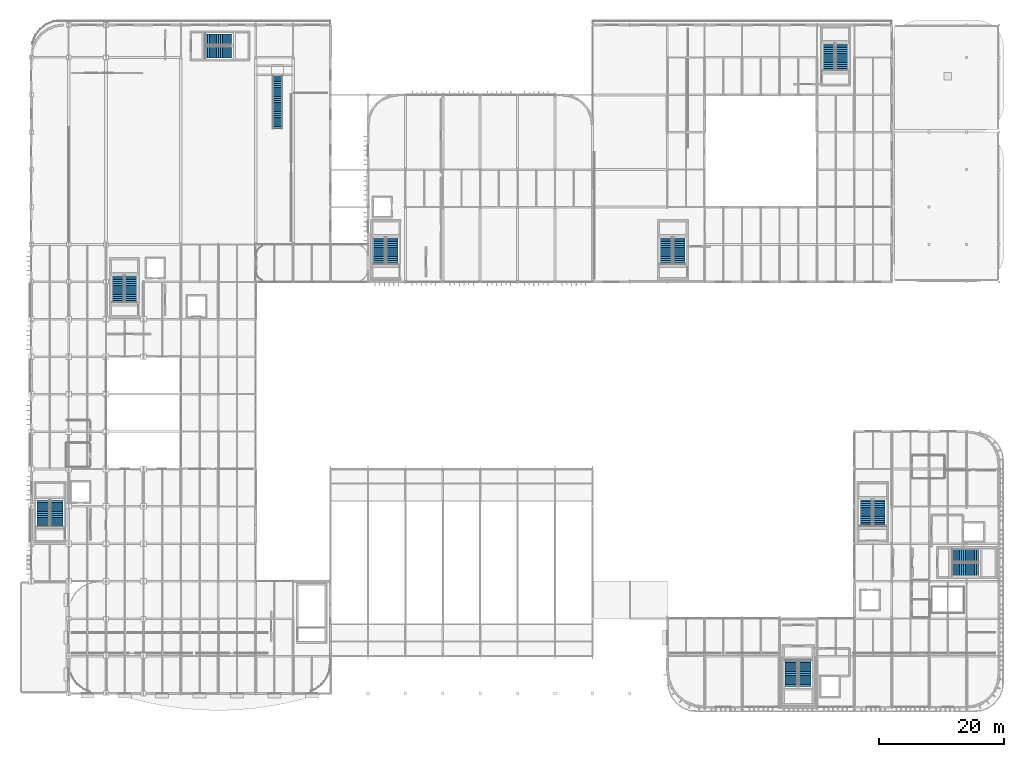
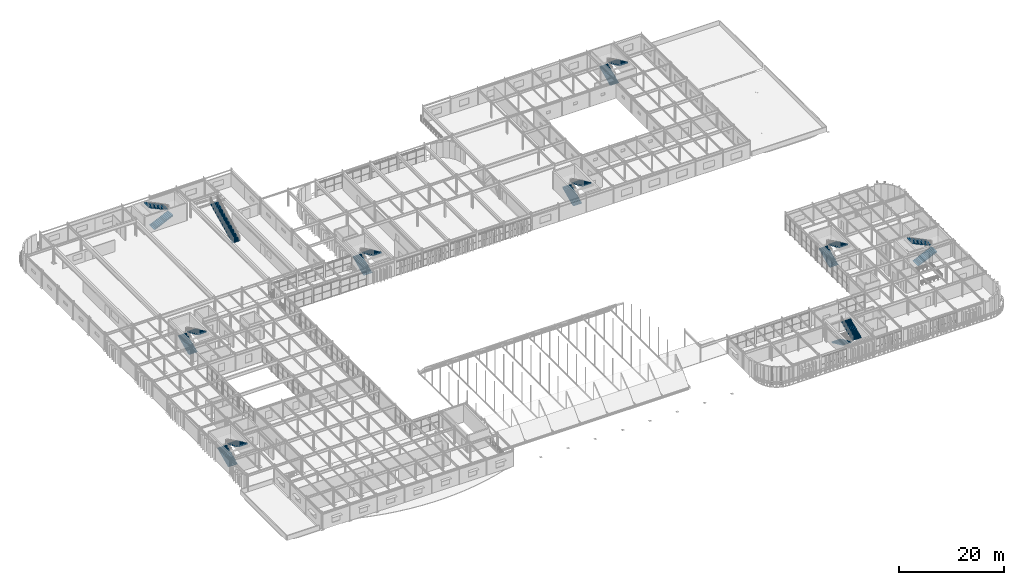
# One storey, part 97 of 116: 19 stair flights, 10 elements without a shape of their own.
"""IFC4 building model written with IfcOpenShell, lengths in metres."""

from ifc_helpers import new_model, si_unit, direction, frame, origin, place, context, subcontext, project, spatial, polyline, outline, extrude, material, type_object, element, aggregate, save


model = new_model("IFC4")

# Units and contexts
model_context = context("Model", 3, precision=1e-05, world=origin(), true_north=direction((0.0, 1.0)))
body_context = subcontext(model_context, "Body", "Model", "MODEL_VIEW")
ifc_project = project(units=[si_unit("LENGTHUNIT", "METRE"), si_unit("AREAUNIT", "SQUARE_METRE"), si_unit("VOLUMEUNIT", "CUBIC_METRE"), si_unit("PLANEANGLEUNIT", "RADIAN"), si_unit("MASSUNIT", "GRAM", prefix="KILO")], contexts=[model_context])

# Site, building, storey
site_placement = place(None, origin())
site = spatial("IfcSite", under=ifc_project, at=site_placement, CompositionType="ELEMENT")
building_placement = place(site_placement, origin())
building = spatial("IfcBuilding", under=site, at=building_placement, Name="Varnakota Square Police Headquarters", CompositionType="ELEMENT")
storey_placement = place(building_placement, frame((0.0, 0.0, 9.300048828125)))
storey = spatial("IfcBuildingStorey", under=building, at=storey_placement, Name="L02", CompositionType="ELEMENT", Elevation=9.300048828125)

# Stair, stair flights
ifc_material_1 = material(Name="Concrete M40", Category="concrete")
stair_type_1 = type_object("IfcStairType", Name="STR-DOG-1850", PredefinedType="USERDEFINED", material=ifc_material_1)
stair_1_placement = place(storey_placement, origin())
stair_1 = element("IfcStair", 1, at=stair_1_placement, inside=storey, type_object=stair_type_1, Name="Protected exit stair ST5 (L02)", ObjectType="TWO_RETURN_STAIR", PredefinedType="USERDEFINED")
stair_flight_type_1 = type_object("IfcStairFlightType", Name="SFL-DOG-1850", PredefinedType="STRAIGHT", material=ifc_material_1)
stair_flight_1_placement = place(storey_placement, frame((19.945068359375, 65.75, 0.0), z_axis=(0.0, 0.0, 1.0), x_axis=(0.0, 1.0, 0.0)))
stair_flight_1 = element("IfcStairFlight", 2, at=stair_flight_1_placement, type_object=stair_flight_type_1, Name="ST5-L02 flight 1", NumberOfRisers=15, NumberOfTreads=14, PredefinedType="STRAIGHT", RiserHeight=0.14, TreadLength=0.3, context=body_context, shape_type="SweptSolid", body=[
    extrude(outline(polyline([(0.0, 0.0), (0.0, 0.139892578125), (0.300048828125, 0.139892578125), (0.300048828125, 0.280029296875), (0.60009765625, 0.280029296875), (0.60009765625, 0.419921875), (0.900146484375, 0.419921875), (0.900146484375, 0.56005859375), (1.2001953125, 0.56005859375), (1.2001953125, 0.699951171875), (1.500244140625, 0.699951171875), (1.500244140625, 0.840087890625), (1.80029296875, 0.840087890625), (1.80029296875, 0.97998046875), (2.100341796875, 0.97998046875), (2.100341796875, 1.1201171875), (2.400390625, 1.1201171875), (2.400390625, 1.260009765625), (2.700439453125, 1.260009765625), (2.700439453125, 1.39990234375), (3.00048828125, 1.39990234375), (3.00048828125, 1.5400390625), (3.300537109375, 1.5400390625), (3.300537109375, 1.679931640625), (3.6005859375, 1.679931640625), (3.6005859375, 1.820068359375), (3.900634765625, 1.820068359375), (3.900634765625, 1.9599609375), (4.20068359375, 1.9599609375), (4.20068359375, 2.10009765625), (4.20068359375, 1.761474609375), (0.425537109375, 0.0), (0.0, 0.0)])), frame((0.0, 0.925048828125, 0.0), z_axis=(0.0, -1.0, 0.0), x_axis=(1.0, 0.0, 0.0)), (0.0, 0.0, 1.0), 1.85009765625),
])
stair_flight_2_placement = place(storey_placement, frame((21.955078125, 69.95068359375, 2.099853515625), z_axis=(0.0, 0.0, 1.0), x_axis=(0.0, -1.0, 0.0)))
stair_flight_2 = element("IfcStairFlight", 3, at=stair_flight_2_placement, type_object=stair_flight_type_1, Name="ST5-L02 flight 2", NumberOfRisers=15, NumberOfTreads=14, PredefinedType="STRAIGHT", RiserHeight=0.14, TreadLength=0.3, context=body_context, shape_type="SweptSolid", body=[
    extrude(outline(polyline([(0.0, 0.0), (0.0, 0.139892578125), (0.300048828125, 0.139892578125), (0.300048828125, 0.280029296875), (0.60009765625, 0.280029296875), (0.60009765625, 0.419921875), (0.900146484375, 0.419921875), (0.900146484375, 0.56005859375), (1.2001953125, 0.56005859375), (1.2001953125, 0.699951171875), (1.500244140625, 0.699951171875), (1.500244140625, 0.840087890625), (1.80029296875, 0.840087890625), (1.80029296875, 0.97998046875), (2.100341796875, 0.97998046875), (2.100341796875, 1.1201171875), (2.400390625, 1.1201171875), (2.400390625, 1.260009765625), (2.700439453125, 1.260009765625), (2.700439453125, 1.39990234375), (3.00048828125, 1.39990234375), (3.00048828125, 1.5400390625), (3.300537109375, 1.5400390625), (3.300537109375, 1.679931640625), (3.6005859375, 1.679931640625), (3.6005859375, 1.820068359375), (3.900634765625, 1.820068359375), (3.900634765625, 1.9599609375), (4.20068359375, 1.9599609375), (4.20068359375, 2.10009765625), (4.20068359375, 1.761474609375), (0.425537109375, 0.0), (0.0, 0.0)])), frame((0.0, 0.925048828125, 0.0), z_axis=(0.0, -1.0, 0.0), x_axis=(1.0, 0.0, 0.0)), (0.0, 0.0, 1.0), 1.85009765625),
])
aggregate(stair_1, [stair_flight_1, stair_flight_2])

stair_2_placement = place(storey_placement, origin())
stair_2 = element("IfcStair", 4, at=stair_2_placement, inside=storey, type_object=stair_type_1, Name="Protected exit stair ST6 (L02)", ObjectType="TWO_RETURN_STAIR", PredefinedType="USERDEFINED")
stair_flight_3_placement = place(storey_placement, frame((61.844970703125, 71.85009765625, 0.0), z_axis=(0.0, 0.0, 1.0), x_axis=(0.0, 1.0, 0.0)))
stair_flight_3 = element("IfcStairFlight", 5, at=stair_flight_3_placement, type_object=stair_flight_type_1, Name="ST6-L02 flight 1", NumberOfRisers=15, NumberOfTreads=14, PredefinedType="STRAIGHT", RiserHeight=0.14, TreadLength=0.3, context=body_context, shape_type="SweptSolid", body=[
    extrude(outline(polyline([(0.0, 0.0), (0.0, 0.139892578125), (0.300048828125, 0.139892578125), (0.300048828125, 0.280029296875), (0.60009765625, 0.280029296875), (0.60009765625, 0.419921875), (0.900146484375, 0.419921875), (0.900146484375, 0.56005859375), (1.2001953125, 0.56005859375), (1.2001953125, 0.699951171875), (1.500244140625, 0.699951171875), (1.500244140625, 0.840087890625), (1.80029296875, 0.840087890625), (1.80029296875, 0.97998046875), (2.100341796875, 0.97998046875), (2.100341796875, 1.1201171875), (2.400390625, 1.1201171875), (2.400390625, 1.260009765625), (2.700439453125, 1.260009765625), (2.700439453125, 1.39990234375), (3.00048828125, 1.39990234375), (3.00048828125, 1.5400390625), (3.300537109375, 1.5400390625), (3.300537109375, 1.679931640625), (3.6005859375, 1.679931640625), (3.6005859375, 1.820068359375), (3.900634765625, 1.820068359375), (3.900634765625, 1.9599609375), (4.20068359375, 1.9599609375), (4.20068359375, 2.10009765625), (4.20068359375, 1.761474609375), (0.425537109375, 0.0), (0.0, 0.0)])), frame((0.0, 0.925048828125, 0.0), z_axis=(0.0, -1.0, 0.0), x_axis=(1.0, 0.0, 0.0)), (0.0, 0.0, 1.0), 1.85009765625),
])
stair_flight_4_placement = place(storey_placement, frame((63.85498046875, 76.05078125, 2.099853515625), z_axis=(0.0, 0.0, 1.0), x_axis=(0.0, -1.0, 0.0)))
stair_flight_4 = element("IfcStairFlight", 6, at=stair_flight_4_placement, type_object=stair_flight_type_1, Name="ST6-L02 flight 2", NumberOfRisers=15, NumberOfTreads=14, PredefinedType="STRAIGHT", RiserHeight=0.14, TreadLength=0.3, context=body_context, shape_type="SweptSolid", body=[
    extrude(outline(polyline([(0.0, 0.0), (0.0, 0.139892578125), (0.300048828125, 0.139892578125), (0.300048828125, 0.280029296875), (0.60009765625, 0.280029296875), (0.60009765625, 0.419921875), (0.900146484375, 0.419921875), (0.900146484375, 0.56005859375), (1.2001953125, 0.56005859375), (1.2001953125, 0.699951171875), (1.500244140625, 0.699951171875), (1.500244140625, 0.840087890625), (1.80029296875, 0.840087890625), (1.80029296875, 0.97998046875), (2.100341796875, 0.97998046875), (2.100341796875, 1.1201171875), (2.400390625, 1.1201171875), (2.400390625, 1.260009765625), (2.700439453125, 1.260009765625), (2.700439453125, 1.39990234375), (3.00048828125, 1.39990234375), (3.00048828125, 1.5400390625), (3.300537109375, 1.5400390625), (3.300537109375, 1.679931640625), (3.6005859375, 1.679931640625), (3.6005859375, 1.820068359375), (3.900634765625, 1.820068359375), (3.900634765625, 1.9599609375), (4.20068359375, 1.9599609375), (4.20068359375, 2.10009765625), (4.20068359375, 1.761474609375), (0.425537109375, 0.0), (0.0, 0.0)])), frame((0.0, 0.925048828125, 0.0), z_axis=(0.0, -1.0, 0.0), x_axis=(1.0, 0.0, 0.0)), (0.0, 0.0, 1.0), 1.85009765625),
])
aggregate(stair_2, [stair_flight_3, stair_flight_4])

stair_3_placement = place(storey_placement, origin())
stair_3 = element("IfcStair", 7, at=stair_3_placement, inside=storey, type_object=stair_type_1, Name="Protected exit stair ST7 (L02)", ObjectType="TWO_RETURN_STAIR", PredefinedType="USERDEFINED")
stair_flight_5_placement = place(storey_placement, frame((33.949951171875, 105.844970703125, 0.0), z_axis=(0.0, 0.0, 1.0), x_axis=(1.0, 0.0, 0.0)))
stair_flight_5 = element("IfcStairFlight", 8, at=stair_flight_5_placement, type_object=stair_flight_type_1, Name="ST7-L02 flight 1", NumberOfRisers=15, NumberOfTreads=14, PredefinedType="STRAIGHT", RiserHeight=0.14, TreadLength=0.3, context=body_context, shape_type="SweptSolid", body=[
    extrude(outline(polyline([(0.0, 0.0), (0.0, 0.139892578125), (0.300048828125, 0.139892578125), (0.300048828125, 0.280029296875), (0.60009765625, 0.280029296875), (0.60009765625, 0.419921875), (0.900146484375, 0.419921875), (0.900146484375, 0.56005859375), (1.2001953125, 0.56005859375), (1.2001953125, 0.699951171875), (1.500244140625, 0.699951171875), (1.500244140625, 0.840087890625), (1.80029296875, 0.840087890625), (1.80029296875, 0.97998046875), (2.100341796875, 0.97998046875), (2.100341796875, 1.1201171875), (2.400390625, 1.1201171875), (2.400390625, 1.260009765625), (2.700439453125, 1.260009765625), (2.700439453125, 1.39990234375), (3.00048828125, 1.39990234375), (3.00048828125, 1.5400390625), (3.300537109375, 1.5400390625), (3.300537109375, 1.679931640625), (3.6005859375, 1.679931640625), (3.6005859375, 1.820068359375), (3.900634765625, 1.820068359375), (3.900634765625, 1.9599609375), (4.20068359375, 1.9599609375), (4.20068359375, 2.10009765625), (4.20068359375, 1.761474609375), (0.425537109375, 0.0), (0.0, 0.0)])), frame((0.0, 0.925048828125, 0.0), z_axis=(0.0, -1.0, 0.0), x_axis=(1.0, 0.0, 0.0)), (0.0, 0.0, 1.0), 1.85009765625),
])
stair_flight_6_placement = place(storey_placement, frame((38.150634765625, 107.85498046875, 2.099853515625), z_axis=(0.0, 0.0, 1.0), x_axis=(-1.0, 0.0, 0.0)))
stair_flight_6 = element("IfcStairFlight", 9, at=stair_flight_6_placement, type_object=stair_flight_type_1, Name="ST7-L02 flight 2", NumberOfRisers=15, NumberOfTreads=14, PredefinedType="STRAIGHT", RiserHeight=0.14, TreadLength=0.3, context=body_context, shape_type="SweptSolid", body=[
    extrude(outline(polyline([(0.0, 0.0), (0.0, 0.139892578125), (0.300048828125, 0.139892578125), (0.300048828125, 0.280029296875), (0.60009765625, 0.280029296875), (0.60009765625, 0.419921875), (0.900146484375, 0.419921875), (0.900146484375, 0.56005859375), (1.2001953125, 0.56005859375), (1.2001953125, 0.699951171875), (1.500244140625, 0.699951171875), (1.500244140625, 0.840087890625), (1.80029296875, 0.840087890625), (1.80029296875, 0.97998046875), (2.100341796875, 0.97998046875), (2.100341796875, 1.1201171875), (2.400390625, 1.1201171875), (2.400390625, 1.260009765625), (2.700439453125, 1.260009765625), (2.700439453125, 1.39990234375), (3.00048828125, 1.39990234375), (3.00048828125, 1.5400390625), (3.300537109375, 1.5400390625), (3.300537109375, 1.679931640625), (3.6005859375, 1.679931640625), (3.6005859375, 1.820068359375), (3.900634765625, 1.820068359375), (3.900634765625, 1.9599609375), (4.20068359375, 1.9599609375), (4.20068359375, 2.10009765625), (4.20068359375, 1.761474609375), (0.425537109375, 0.0), (0.0, 0.0)])), frame((0.0, 0.925048828125, 0.0), z_axis=(0.0, -1.0, 0.0), x_axis=(1.0, 0.0, 0.0)), (0.0, 0.0, 1.0), 1.85009765625),
])
aggregate(stair_3, [stair_flight_5, stair_flight_6])

stair_4_placement = place(storey_placement, origin())
stair_4 = element("IfcStair", 10, at=stair_4_placement, inside=storey, type_object=stair_type_1, Name="Protected exit stair ST8 (L02)", ObjectType="TWO_RETURN_STAIR", PredefinedType="USERDEFINED")
stair_flight_7_placement = place(storey_placement, frame((133.945068359375, 102.949951171875, 0.0), z_axis=(0.0, 0.0, 1.0), x_axis=(0.0, 1.0, 0.0)))
stair_flight_7 = element("IfcStairFlight", 11, at=stair_flight_7_placement, type_object=stair_flight_type_1, Name="ST8-L02 flight 1", NumberOfRisers=15, NumberOfTreads=14, PredefinedType="STRAIGHT", RiserHeight=0.14, TreadLength=0.3, context=body_context, shape_type="SweptSolid", body=[
    extrude(outline(polyline([(0.0, 0.0), (0.0, 0.139892578125), (0.300048828125, 0.139892578125), (0.300048828125, 0.280029296875), (0.60009765625, 0.280029296875), (0.60009765625, 0.419921875), (0.900146484375, 0.419921875), (0.900146484375, 0.56005859375), (1.2001953125, 0.56005859375), (1.2001953125, 0.699951171875), (1.500244140625, 0.699951171875), (1.500244140625, 0.840087890625), (1.80029296875, 0.840087890625), (1.80029296875, 0.97998046875), (2.100341796875, 0.97998046875), (2.100341796875, 1.1201171875), (2.400390625, 1.1201171875), (2.400390625, 1.260009765625), (2.700439453125, 1.260009765625), (2.700439453125, 1.39990234375), (3.00048828125, 1.39990234375), (3.00048828125, 1.5400390625), (3.300537109375, 1.5400390625), (3.300537109375, 1.679931640625), (3.6005859375, 1.679931640625), (3.6005859375, 1.820068359375), (3.900634765625, 1.820068359375), (3.900634765625, 1.9599609375), (4.20068359375, 1.9599609375), (4.20068359375, 2.10009765625), (4.20068359375, 1.761474609375), (0.425537109375, 0.0), (0.0, 0.0)])), frame((0.0, 0.925048828125, 0.0), z_axis=(0.0, -1.0, 0.0), x_axis=(1.0, 0.0, 0.0)), (0.0, 0.0, 1.0), 1.85009765625),
])
stair_flight_8_placement = place(storey_placement, frame((135.955078125, 107.150634765625, 2.099853515625), z_axis=(0.0, 0.0, 1.0), x_axis=(0.0, -1.0, 0.0)))
stair_flight_8 = element("IfcStairFlight", 12, at=stair_flight_8_placement, type_object=stair_flight_type_1, Name="ST8-L02 flight 2", NumberOfRisers=15, NumberOfTreads=14, PredefinedType="STRAIGHT", RiserHeight=0.14, TreadLength=0.3, context=body_context, shape_type="SweptSolid", body=[
    extrude(outline(polyline([(0.0, 0.0), (0.0, 0.139892578125), (0.300048828125, 0.139892578125), (0.300048828125, 0.280029296875), (0.60009765625, 0.280029296875), (0.60009765625, 0.419921875), (0.900146484375, 0.419921875), (0.900146484375, 0.56005859375), (1.2001953125, 0.56005859375), (1.2001953125, 0.699951171875), (1.500244140625, 0.699951171875), (1.500244140625, 0.840087890625), (1.80029296875, 0.840087890625), (1.80029296875, 0.97998046875), (2.100341796875, 0.97998046875), (2.100341796875, 1.1201171875), (2.400390625, 1.1201171875), (2.400390625, 1.260009765625), (2.700439453125, 1.260009765625), (2.700439453125, 1.39990234375), (3.00048828125, 1.39990234375), (3.00048828125, 1.5400390625), (3.300537109375, 1.5400390625), (3.300537109375, 1.679931640625), (3.6005859375, 1.679931640625), (3.6005859375, 1.820068359375), (3.900634765625, 1.820068359375), (3.900634765625, 1.9599609375), (4.20068359375, 1.9599609375), (4.20068359375, 2.10009765625), (4.20068359375, 1.761474609375), (0.425537109375, 0.0), (0.0, 0.0)])), frame((0.0, 0.925048828125, 0.0), z_axis=(0.0, -1.0, 0.0), x_axis=(1.0, 0.0, 0.0)), (0.0, 0.0, 1.0), 1.85009765625),
])
aggregate(stair_4, [stair_flight_7, stair_flight_8])

stair_type_2 = type_object("IfcStairType", Name="STR-DOG-1900", PredefinedType="USERDEFINED", material=ifc_material_1)
stair_5_placement = place(storey_placement, origin())
stair_5 = element("IfcStair", 13, at=stair_5_placement, inside=storey, type_object=stair_type_2, Name="Protected exit stair ST3 (L02)", ObjectType="TWO_RETURN_STAIR", PredefinedType="USERDEFINED")
stair_flight_type_2 = type_object("IfcStairFlightType", Name="SFL-DOG-1900", PredefinedType="STRAIGHT", material=ifc_material_1)
stair_flight_9_placement = place(storey_placement, frame((139.919921875, 29.85009765625, 0.0), z_axis=(0.0, 0.0, 1.0), x_axis=(0.0, 1.0, 0.0)))
stair_flight_9 = element("IfcStairFlight", 14, at=stair_flight_9_placement, type_object=stair_flight_type_2, Name="ST3-L02 flight 1", NumberOfRisers=15, NumberOfTreads=14, PredefinedType="STRAIGHT", RiserHeight=0.14, TreadLength=0.3, context=body_context, shape_type="SweptSolid", body=[
    extrude(outline(polyline([(0.0, 0.0), (0.0, 0.139892578125), (0.300048828125, 0.139892578125), (0.300048828125, 0.280029296875), (0.60009765625, 0.280029296875), (0.60009765625, 0.419921875), (0.900146484375, 0.419921875), (0.900146484375, 0.56005859375), (1.2001953125, 0.56005859375), (1.2001953125, 0.699951171875), (1.500244140625, 0.699951171875), (1.500244140625, 0.840087890625), (1.80029296875, 0.840087890625), (1.80029296875, 0.97998046875), (2.100341796875, 0.97998046875), (2.100341796875, 1.1201171875), (2.400390625, 1.1201171875), (2.400390625, 1.260009765625), (2.700439453125, 1.260009765625), (2.700439453125, 1.39990234375), (3.00048828125, 1.39990234375), (3.00048828125, 1.5400390625), (3.300537109375, 1.5400390625), (3.300537109375, 1.679931640625), (3.6005859375, 1.679931640625), (3.6005859375, 1.820068359375), (3.900634765625, 1.820068359375), (3.900634765625, 1.9599609375), (4.20068359375, 1.9599609375), (4.20068359375, 2.10009765625), (4.20068359375, 1.761474609375), (0.425537109375, 0.0), (0.0, 0.0)])), frame((0.0, 0.949951171875, 0.0), z_axis=(0.0, -1.0, 0.0), x_axis=(1.0, 0.0, 0.0)), (0.0, 0.0, 1.0), 1.89990234375),
])
stair_flight_10_placement = place(storey_placement, frame((141.97998046875, 34.05078125, 2.099853515625), z_axis=(0.0, 0.0, 1.0), x_axis=(0.0, -1.0, 0.0)))
stair_flight_10 = element("IfcStairFlight", 15, at=stair_flight_10_placement, type_object=stair_flight_type_2, Name="ST3-L02 flight 2", NumberOfRisers=15, NumberOfTreads=14, PredefinedType="STRAIGHT", RiserHeight=0.14, TreadLength=0.3, context=body_context, shape_type="SweptSolid", body=[
    extrude(outline(polyline([(0.0, 0.0), (0.0, 0.139892578125), (0.300048828125, 0.139892578125), (0.300048828125, 0.280029296875), (0.60009765625, 0.280029296875), (0.60009765625, 0.419921875), (0.900146484375, 0.419921875), (0.900146484375, 0.56005859375), (1.2001953125, 0.56005859375), (1.2001953125, 0.699951171875), (1.500244140625, 0.699951171875), (1.500244140625, 0.840087890625), (1.80029296875, 0.840087890625), (1.80029296875, 0.97998046875), (2.100341796875, 0.97998046875), (2.100341796875, 1.1201171875), (2.400390625, 1.1201171875), (2.400390625, 1.260009765625), (2.700439453125, 1.260009765625), (2.700439453125, 1.39990234375), (3.00048828125, 1.39990234375), (3.00048828125, 1.5400390625), (3.300537109375, 1.5400390625), (3.300537109375, 1.679931640625), (3.6005859375, 1.679931640625), (3.6005859375, 1.820068359375), (3.900634765625, 1.820068359375), (3.900634765625, 1.9599609375), (4.20068359375, 1.9599609375), (4.20068359375, 2.10009765625), (4.20068359375, 1.761474609375), (0.425537109375, 0.0), (0.0, 0.0)])), frame((0.0, 0.949951171875, 0.0), z_axis=(0.0, -1.0, 0.0), x_axis=(1.0, 0.0, 0.0)), (0.0, 0.0, 1.0), 1.89990234375),
])
aggregate(stair_5, [stair_flight_9, stair_flight_10])

stair_6_placement = place(storey_placement, origin())
stair_6 = element("IfcStair", 16, at=stair_6_placement, inside=storey, type_object=stair_type_2, Name="Protected exit stair ST9 (L02)", ObjectType="TWO_RETURN_STAIR", PredefinedType="USERDEFINED")
stair_flight_11_placement = place(storey_placement, frame((107.8701171875, 71.85009765625, 0.0), z_axis=(0.0, 0.0, 1.0), x_axis=(0.0, 1.0, 0.0)))
stair_flight_11 = element("IfcStairFlight", 17, at=stair_flight_11_placement, type_object=stair_flight_type_2, Name="ST9-L02 flight 1", NumberOfRisers=15, NumberOfTreads=14, PredefinedType="STRAIGHT", RiserHeight=0.14, TreadLength=0.3, context=body_context, shape_type="SweptSolid", body=[
    extrude(outline(polyline([(0.0, 0.0), (0.0, 0.139892578125), (0.300048828125, 0.139892578125), (0.300048828125, 0.280029296875), (0.60009765625, 0.280029296875), (0.60009765625, 0.419921875), (0.900146484375, 0.419921875), (0.900146484375, 0.56005859375), (1.2001953125, 0.56005859375), (1.2001953125, 0.699951171875), (1.500244140625, 0.699951171875), (1.500244140625, 0.840087890625), (1.80029296875, 0.840087890625), (1.80029296875, 0.97998046875), (2.100341796875, 0.97998046875), (2.100341796875, 1.1201171875), (2.400390625, 1.1201171875), (2.400390625, 1.260009765625), (2.700439453125, 1.260009765625), (2.700439453125, 1.39990234375), (3.00048828125, 1.39990234375), (3.00048828125, 1.5400390625), (3.300537109375, 1.5400390625), (3.300537109375, 1.679931640625), (3.6005859375, 1.679931640625), (3.6005859375, 1.820068359375), (3.900634765625, 1.820068359375), (3.900634765625, 1.9599609375), (4.20068359375, 1.9599609375), (4.20068359375, 2.10009765625), (4.20068359375, 1.761474609375), (0.425537109375, 0.0), (0.0, 0.0)])), frame((0.0, 0.949951171875, 0.0), z_axis=(0.0, -1.0, 0.0), x_axis=(1.0, 0.0, 0.0)), (0.0, 0.0, 1.0), 1.89990234375),
])
stair_flight_12_placement = place(storey_placement, frame((109.929931640625, 76.05078125, 2.099853515625), z_axis=(0.0, 0.0, 1.0), x_axis=(0.0, -1.0, 0.0)))
stair_flight_12 = element("IfcStairFlight", 18, at=stair_flight_12_placement, type_object=stair_flight_type_2, Name="ST9-L02 flight 2", NumberOfRisers=15, NumberOfTreads=14, PredefinedType="STRAIGHT", RiserHeight=0.14, TreadLength=0.3, context=body_context, shape_type="SweptSolid", body=[
    extrude(outline(polyline([(0.0, 0.0), (0.0, 0.139892578125), (0.300048828125, 0.139892578125), (0.300048828125, 0.280029296875), (0.60009765625, 0.280029296875), (0.60009765625, 0.419921875), (0.900146484375, 0.419921875), (0.900146484375, 0.56005859375), (1.2001953125, 0.56005859375), (1.2001953125, 0.699951171875), (1.500244140625, 0.699951171875), (1.500244140625, 0.840087890625), (1.80029296875, 0.840087890625), (1.80029296875, 0.97998046875), (2.100341796875, 0.97998046875), (2.100341796875, 1.1201171875), (2.400390625, 1.1201171875), (2.400390625, 1.260009765625), (2.700439453125, 1.260009765625), (2.700439453125, 1.39990234375), (3.00048828125, 1.39990234375), (3.00048828125, 1.5400390625), (3.300537109375, 1.5400390625), (3.300537109375, 1.679931640625), (3.6005859375, 1.679931640625), (3.6005859375, 1.820068359375), (3.900634765625, 1.820068359375), (3.900634765625, 1.9599609375), (4.20068359375, 1.9599609375), (4.20068359375, 2.10009765625), (4.20068359375, 1.761474609375), (0.425537109375, 0.0), (0.0, 0.0)])), frame((0.0, 0.949951171875, 0.0), z_axis=(0.0, -1.0, 0.0), x_axis=(1.0, 0.0, 0.0)), (0.0, 0.0, 1.0), 1.89990234375),
])
aggregate(stair_6, [stair_flight_11, stair_flight_12])

stair_type_3 = type_object("IfcStairType", Name="STR-DOG-2000", PredefinedType="USERDEFINED", material=ifc_material_1)
stair_7_placement = place(storey_placement, origin())
stair_7 = element("IfcStair", 19, at=stair_7_placement, inside=storey, type_object=stair_type_3, Name="Protected exit stair ST1 (L02)", ObjectType="TWO_RETURN_STAIR", PredefinedType="USERDEFINED")
stair_flight_type_3 = type_object("IfcStairFlightType", Name="SFL-DOG-2000", PredefinedType="STRAIGHT", material=ifc_material_1)
stair_flight_13_placement = place(storey_placement, frame((127.919921875, 8.300048828125, 0.0), z_axis=(0.0, 0.0, 1.0), x_axis=(0.0, -1.0, 0.0)))
stair_flight_13 = element("IfcStairFlight", 20, at=stair_flight_13_placement, type_object=stair_flight_type_3, Name="ST1-L02 flight 1", NumberOfRisers=15, NumberOfTreads=14, PredefinedType="STRAIGHT", RiserHeight=0.14, TreadLength=0.3, context=body_context, shape_type="SweptSolid", body=[
    extrude(outline(polyline([(0.0, 0.0), (0.0, 0.139892578125), (0.300048828125, 0.139892578125), (0.300048828125, 0.280029296875), (0.60009765625, 0.280029296875), (0.60009765625, 0.419921875), (0.900146484375, 0.419921875), (0.900146484375, 0.56005859375), (1.2001953125, 0.56005859375), (1.2001953125, 0.699951171875), (1.500244140625, 0.699951171875), (1.500244140625, 0.840087890625), (1.80029296875, 0.840087890625), (1.80029296875, 0.97998046875), (2.100341796875, 0.97998046875), (2.100341796875, 1.1201171875), (2.400390625, 1.1201171875), (2.400390625, 1.260009765625), (2.700439453125, 1.260009765625), (2.700439453125, 1.39990234375), (3.00048828125, 1.39990234375), (3.00048828125, 1.5400390625), (3.300537109375, 1.5400390625), (3.300537109375, 1.679931640625), (3.6005859375, 1.679931640625), (3.6005859375, 1.820068359375), (3.900634765625, 1.820068359375), (3.900634765625, 1.9599609375), (4.20068359375, 1.9599609375), (4.20068359375, 2.10009765625), (4.20068359375, 1.761474609375), (0.425537109375, 0.0), (0.0, 0.0)])), frame((0.0, 1.0, 0.0), z_axis=(0.0, -1.0, 0.0), x_axis=(1.0, 0.0, 0.0)), (0.0, 0.0, 1.0), 2.0),
])
stair_flight_14_placement = place(storey_placement, frame((130.080078125, 4.099365234375, 2.099853515625), z_axis=(0.0, 0.0, 1.0), x_axis=(0.0, 1.0, 0.0)))
stair_flight_14 = element("IfcStairFlight", 21, at=stair_flight_14_placement, type_object=stair_flight_type_3, Name="ST1-L02 flight 2", NumberOfRisers=15, NumberOfTreads=14, PredefinedType="STRAIGHT", RiserHeight=0.14, TreadLength=0.3, context=body_context, shape_type="SweptSolid", body=[
    extrude(outline(polyline([(0.0, 0.0), (0.0, 0.139892578125), (0.300048828125, 0.139892578125), (0.300048828125, 0.280029296875), (0.60009765625, 0.280029296875), (0.60009765625, 0.419921875), (0.900146484375, 0.419921875), (0.900146484375, 0.56005859375), (1.2001953125, 0.56005859375), (1.2001953125, 0.699951171875), (1.500244140625, 0.699951171875), (1.500244140625, 0.840087890625), (1.80029296875, 0.840087890625), (1.80029296875, 0.97998046875), (2.100341796875, 0.97998046875), (2.100341796875, 1.1201171875), (2.400390625, 1.1201171875), (2.400390625, 1.260009765625), (2.700439453125, 1.260009765625), (2.700439453125, 1.39990234375), (3.00048828125, 1.39990234375), (3.00048828125, 1.5400390625), (3.300537109375, 1.5400390625), (3.300537109375, 1.679931640625), (3.6005859375, 1.679931640625), (3.6005859375, 1.820068359375), (3.900634765625, 1.820068359375), (3.900634765625, 1.9599609375), (4.20068359375, 1.9599609375), (4.20068359375, 2.10009765625), (4.20068359375, 1.761474609375), (0.425537109375, 0.0), (0.0, 0.0)])), frame((0.0, 1.0, 0.0), z_axis=(0.0, -1.0, 0.0), x_axis=(1.0, 0.0, 0.0)), (0.0, 0.0, 1.0), 2.0),
])
aggregate(stair_7, [stair_flight_13, stair_flight_14])

stair_8_placement = place(storey_placement, origin())
stair_8 = element("IfcStair", 22, at=stair_8_placement, inside=storey, type_object=stair_type_3, Name="Protected exit stair ST2 (L02)", ObjectType="TWO_RETURN_STAIR", PredefinedType="USERDEFINED")
stair_flight_15_placement = place(storey_placement, frame((153.699951171875, 22.919921875, 0.0), z_axis=(0.0, 0.0, 1.0), x_axis=(1.0, 0.0, 0.0)))
stair_flight_15 = element("IfcStairFlight", 23, at=stair_flight_15_placement, type_object=stair_flight_type_3, Name="ST2-L02 flight 1", NumberOfRisers=15, NumberOfTreads=14, PredefinedType="STRAIGHT", RiserHeight=0.14, TreadLength=0.3, context=body_context, shape_type="SweptSolid", body=[
    extrude(outline(polyline([(0.0, 0.0), (0.0, 0.139892578125), (0.300048828125, 0.139892578125), (0.300048828125, 0.280029296875), (0.60009765625, 0.280029296875), (0.60009765625, 0.419921875), (0.900146484375, 0.419921875), (0.900146484375, 0.56005859375), (1.2001953125, 0.56005859375), (1.2001953125, 0.699951171875), (1.500244140625, 0.699951171875), (1.500244140625, 0.840087890625), (1.80029296875, 0.840087890625), (1.80029296875, 0.97998046875), (2.100341796875, 0.97998046875), (2.100341796875, 1.1201171875), (2.400390625, 1.1201171875), (2.400390625, 1.260009765625), (2.700439453125, 1.260009765625), (2.700439453125, 1.39990234375), (3.00048828125, 1.39990234375), (3.00048828125, 1.5400390625), (3.300537109375, 1.5400390625), (3.300537109375, 1.679931640625), (3.6005859375, 1.679931640625), (3.6005859375, 1.820068359375), (3.900634765625, 1.820068359375), (3.900634765625, 1.9599609375), (4.20068359375, 1.9599609375), (4.20068359375, 2.10009765625), (4.20068359375, 1.761474609375), (0.425537109375, 0.0), (0.0, 0.0)])), frame((0.0, 1.0, 0.0), z_axis=(0.0, -1.0, 0.0), x_axis=(1.0, 0.0, 0.0)), (0.0, 0.0, 1.0), 2.0),
])
stair_flight_16_placement = place(storey_placement, frame((157.900634765625, 25.080078125, 2.099853515625), z_axis=(0.0, 0.0, 1.0), x_axis=(-1.0, 0.0, 0.0)))
stair_flight_16 = element("IfcStairFlight", 24, at=stair_flight_16_placement, type_object=stair_flight_type_3, Name="ST2-L02 flight 2", NumberOfRisers=15, NumberOfTreads=14, PredefinedType="STRAIGHT", RiserHeight=0.14, TreadLength=0.3, context=body_context, shape_type="SweptSolid", body=[
    extrude(outline(polyline([(0.0, 0.0), (0.0, 0.139892578125), (0.300048828125, 0.139892578125), (0.300048828125, 0.280029296875), (0.60009765625, 0.280029296875), (0.60009765625, 0.419921875), (0.900146484375, 0.419921875), (0.900146484375, 0.56005859375), (1.2001953125, 0.56005859375), (1.2001953125, 0.699951171875), (1.500244140625, 0.699951171875), (1.500244140625, 0.840087890625), (1.80029296875, 0.840087890625), (1.80029296875, 0.97998046875), (2.100341796875, 0.97998046875), (2.100341796875, 1.1201171875), (2.400390625, 1.1201171875), (2.400390625, 1.260009765625), (2.700439453125, 1.260009765625), (2.700439453125, 1.39990234375), (3.00048828125, 1.39990234375), (3.00048828125, 1.5400390625), (3.300537109375, 1.5400390625), (3.300537109375, 1.679931640625), (3.6005859375, 1.679931640625), (3.6005859375, 1.820068359375), (3.900634765625, 1.820068359375), (3.900634765625, 1.9599609375), (4.20068359375, 1.9599609375), (4.20068359375, 2.10009765625), (4.20068359375, 1.761474609375), (0.425537109375, 0.0), (0.0, 0.0)])), frame((0.0, 1.0, 0.0), z_axis=(0.0, -1.0, 0.0), x_axis=(1.0, 0.0, 0.0)), (0.0, 0.0, 1.0), 2.0),
])
aggregate(stair_8, [stair_flight_15, stair_flight_16])

stair_9_placement = place(storey_placement, origin())
stair_9 = element("IfcStair", 25, at=stair_9_placement, inside=storey, type_object=stair_type_3, Name="Protected exit stair ST4 (L02)", ObjectType="TWO_RETURN_STAIR", PredefinedType="USERDEFINED")
stair_flight_17_placement = place(storey_placement, frame((7.919921875, 29.75, 0.0), z_axis=(0.0, 0.0, 1.0), x_axis=(0.0, 1.0, 0.0)))
stair_flight_17 = element("IfcStairFlight", 26, at=stair_flight_17_placement, type_object=stair_flight_type_3, Name="ST4-L02 flight 1", NumberOfRisers=15, NumberOfTreads=14, PredefinedType="STRAIGHT", RiserHeight=0.14, TreadLength=0.3, context=body_context, shape_type="SweptSolid", body=[
    extrude(outline(polyline([(0.0, 0.0), (0.0, 0.139892578125), (0.300048828125, 0.139892578125), (0.300048828125, 0.280029296875), (0.60009765625, 0.280029296875), (0.60009765625, 0.419921875), (0.900146484375, 0.419921875), (0.900146484375, 0.56005859375), (1.2001953125, 0.56005859375), (1.2001953125, 0.699951171875), (1.500244140625, 0.699951171875), (1.500244140625, 0.840087890625), (1.80029296875, 0.840087890625), (1.80029296875, 0.97998046875), (2.100341796875, 0.97998046875), (2.100341796875, 1.1201171875), (2.400390625, 1.1201171875), (2.400390625, 1.260009765625), (2.700439453125, 1.260009765625), (2.700439453125, 1.39990234375), (3.00048828125, 1.39990234375), (3.00048828125, 1.5400390625), (3.300537109375, 1.5400390625), (3.300537109375, 1.679931640625), (3.6005859375, 1.679931640625), (3.6005859375, 1.820068359375), (3.900634765625, 1.820068359375), (3.900634765625, 1.9599609375), (4.20068359375, 1.9599609375), (4.20068359375, 2.10009765625), (4.20068359375, 1.761474609375), (0.425537109375, 0.0), (0.0, 0.0)])), frame((0.0, 1.0, 0.0), z_axis=(0.0, -1.0, 0.0), x_axis=(1.0, 0.0, 0.0)), (0.0, 0.0, 1.0), 2.0),
])
stair_flight_18_placement = place(storey_placement, frame((10.080078125, 33.95068359375, 2.099853515625), z_axis=(0.0, 0.0, 1.0), x_axis=(0.0, -1.0, 0.0)))
stair_flight_18 = element("IfcStairFlight", 27, at=stair_flight_18_placement, type_object=stair_flight_type_3, Name="ST4-L02 flight 2", NumberOfRisers=15, NumberOfTreads=14, PredefinedType="STRAIGHT", RiserHeight=0.14, TreadLength=0.3, context=body_context, shape_type="SweptSolid", body=[
    extrude(outline(polyline([(0.0, 0.0), (0.0, 0.139892578125), (0.300048828125, 0.139892578125), (0.300048828125, 0.280029296875), (0.60009765625, 0.280029296875), (0.60009765625, 0.419921875), (0.900146484375, 0.419921875), (0.900146484375, 0.56005859375), (1.2001953125, 0.56005859375), (1.2001953125, 0.699951171875), (1.500244140625, 0.699951171875), (1.500244140625, 0.840087890625), (1.80029296875, 0.840087890625), (1.80029296875, 0.97998046875), (2.100341796875, 0.97998046875), (2.100341796875, 1.1201171875), (2.400390625, 1.1201171875), (2.400390625, 1.260009765625), (2.700439453125, 1.260009765625), (2.700439453125, 1.39990234375), (3.00048828125, 1.39990234375), (3.00048828125, 1.5400390625), (3.300537109375, 1.5400390625), (3.300537109375, 1.679931640625), (3.6005859375, 1.679931640625), (3.6005859375, 1.820068359375), (3.900634765625, 1.820068359375), (3.900634765625, 1.9599609375), (4.20068359375, 1.9599609375), (4.20068359375, 2.10009765625), (4.20068359375, 1.761474609375), (0.425537109375, 0.0), (0.0, 0.0)])), frame((0.0, 1.0, 0.0), z_axis=(0.0, -1.0, 0.0), x_axis=(1.0, 0.0, 0.0)), (0.0, 0.0, 1.0), 2.0),
])
aggregate(stair_9, [stair_flight_17, stair_flight_18])

# Stair, stair flight
ifc_material_2 = material(Name="Precast concrete M40", Category="concrete")
stair_type_4 = type_object("IfcStairType", Name="STR-FEAT-1600", PredefinedType="STRAIGHT_RUN_STAIR", material=ifc_material_2)
stair_10_placement = place(storey_placement, origin())
stair_10 = element("IfcStair", 28, at=stair_10_placement, inside=storey, type_object=stair_type_4, Name="Civic feature straight-run stair ST-GYM1", PredefinedType="STRAIGHT_RUN_STAIR")
stair_flight_type_4 = type_object("IfcStairFlightType", Name="SFL-FEAT-1600", PredefinedType="STRAIGHT", material=ifc_material_2)
stair_flight_19_placement = place(storey_placement, frame((45.5, 93.5986328125, 0.0), z_axis=(0.0, 0.0, 1.0), x_axis=(0.0, 1.0, 0.0)))
stair_flight_19 = element("IfcStairFlight", 29, at=stair_flight_19_placement, type_object=stair_flight_type_4, Name="ST-GYM1 flight 1", NumberOfRisers=29, NumberOfTreads=28, PredefinedType="STRAIGHT", RiserHeight=0.14483, TreadLength=0.3, context=body_context, shape_type="SweptSolid", body=[
    extrude(outline(polyline([(0.0, 0.0), (0.0, 0.144775390625), (0.300048828125, 0.144775390625), (0.300048828125, 0.28955078125), (0.60009765625, 0.28955078125), (0.60009765625, 0.4345703125), (0.900146484375, 0.4345703125), (0.900146484375, 0.579345703125), (1.2001953125, 0.579345703125), (1.2001953125, 0.72412109375), (1.500244140625, 0.72412109375), (1.500244140625, 0.868896484375), (1.80029296875, 0.868896484375), (1.80029296875, 1.013916015625), (2.100341796875, 1.013916015625), (2.100341796875, 1.15869140625), (2.400390625, 1.15869140625), (2.400390625, 1.303466796875), (2.700439453125, 1.303466796875), (2.700439453125, 1.4482421875), (3.00048828125, 1.4482421875), (3.00048828125, 1.593017578125), (3.300537109375, 1.593017578125), (3.300537109375, 1.738037109375), (3.6005859375, 1.738037109375), (3.6005859375, 1.8828125), (3.900634765625, 1.8828125), (3.900634765625, 2.027587890625), (4.20068359375, 2.027587890625), (4.20068359375, 2.17236328125), (4.500732421875, 2.17236328125), (4.500732421875, 2.3173828125), (4.80078125, 2.3173828125), (4.80078125, 2.462158203125), (5.100830078125, 2.462158203125), (5.100830078125, 2.60693359375), (5.40087890625, 2.60693359375), (5.40087890625, 2.751708984375), (5.700927734375, 2.751708984375), (5.700927734375, 2.896484375), (6.0009765625, 2.896484375), (6.0009765625, 3.04150390625), (6.301025390625, 3.04150390625), (6.301025390625, 3.186279296875), (6.60107421875, 3.186279296875), (6.60107421875, 3.3310546875), (6.901123046875, 3.3310546875), (6.901123046875, 3.475830078125), (7.201171875, 3.475830078125), (7.201171875, 3.620849609375), (7.501220703125, 3.620849609375), (7.501220703125, 3.765625), (7.80126953125, 3.765625), (7.80126953125, 3.910400390625), (8.101318359375, 3.910400390625), (8.101318359375, 4.05517578125), (8.4013671875, 4.05517578125), (8.4013671875, 4.199951171875), (8.4013671875, 3.833251953125), (0.4599609375, 0.0), (0.0, 0.0)])), frame((0.0, 0.800048828125, 0.0), z_axis=(0.0, -1.0, 0.0), x_axis=(1.0, 0.0, 0.0)), (0.0, 0.0, 1.0), 1.60009765625),
])
aggregate(stair_10, [stair_flight_19])

save(model, "model.ifc")
